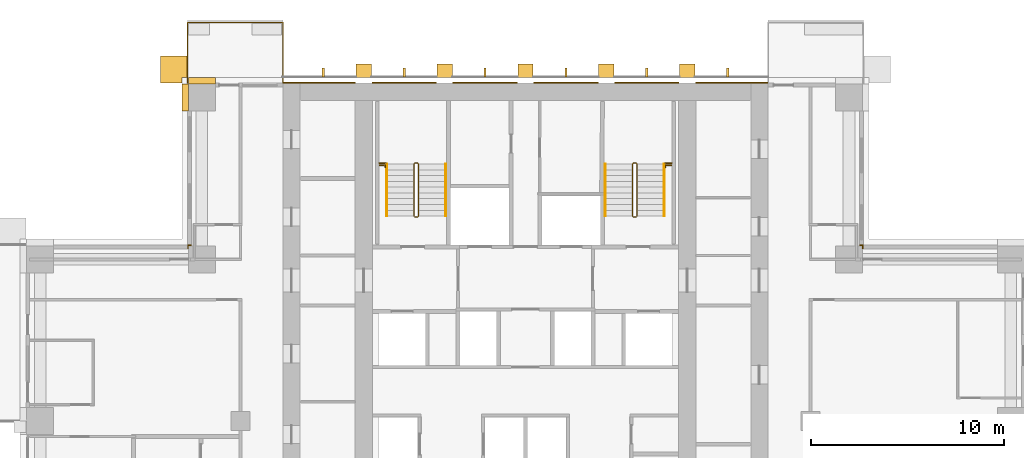
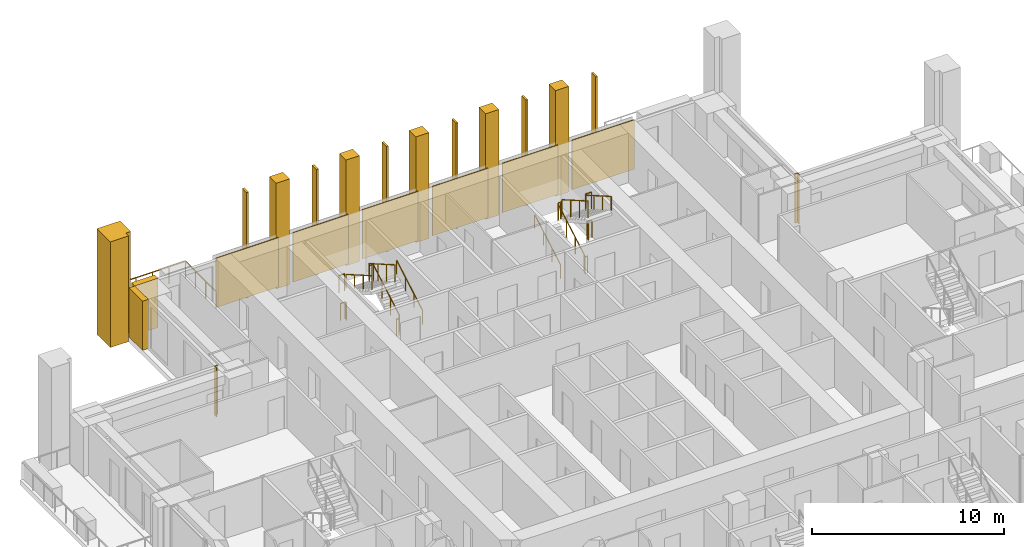
# One storey, part 16 of 17: 22 coverings, 11 railings.
"""IFC4 building model written with IfcOpenShell, lengths in metres."""

from ifc_helpers import new_model, si_unit, direction, frame, origin, origin_2d, place, context, subcontext, project, spatial, polyline, rectangle, outline, extrude, material, layer, layer_set, type_object, element, save


model = new_model("IFC4")

# Units and contexts
model_context = context("Model", 3, precision=1e-05, world=origin(), true_north=direction((0.0, 1.0)))
body_context = subcontext(model_context, "Body", "Model", "MODEL_VIEW")
ifc_project = project(units=[si_unit("LENGTHUNIT", "METRE"), si_unit("AREAUNIT", "SQUARE_METRE"), si_unit("VOLUMEUNIT", "CUBIC_METRE"), si_unit("PLANEANGLEUNIT", "RADIAN"), si_unit("MASSUNIT", "GRAM", prefix="KILO")], contexts=[model_context])

# Site, building, storey
site_placement = place(None, origin())
site = spatial("IfcSite", under=ifc_project, at=site_placement, CompositionType="ELEMENT")
building_placement = place(site_placement, origin())
building = spatial("IfcBuilding", under=site, at=building_placement, Name="Vermilion Ogive Tower", CompositionType="ELEMENT")
storey_placement = place(building_placement, frame((0.0, 0.0, 69.0)))
storey = spatial("IfcBuildingStorey", under=building, at=storey_placement, Name="L16", CompositionType="ELEMENT", Elevation=69.0)

# Railing
ifc_material_1 = material(Name="Stainless steel and glass", Category="steel")
railing_type_1 = type_object("IfcRailingType", Name="Balcony guard", PredefinedType="GUARDRAIL", material=ifc_material_1)
railing_1_placement = place(storey_placement, frame((-12.60009765625, 21.75, -0.0400390625)))
element("IfcRailing", 1, at=railing_1_placement, inside=storey, type_object=railing_type_1, Name="Guard N201", PredefinedType="GUARDRAIL", context=body_context, shape_type="SweptSolid", body=[
    extrude(rectangle(XDim=0.048095703125, YDim=0.048095703125, at=origin_2d()), frame((0.0, 0.0, 1.076171875), z_axis=(0.0, 1.0, 0.0), x_axis=(-1.0, 0.0, 0.0)), (0.0, 0.0, 1.0), 3.159912109375),
    extrude(rectangle(XDim=0.048095703125, YDim=0.048095703125, at=origin_2d()), frame((0.0, 3.159912109375, 1.076171875), z_axis=(-1.0, 0.0, 0.0), x_axis=(0.0, -1.0, 0.0)), (0.0, 0.0, 1.0), 4.949951171875),
    extrude(rectangle(XDim=0.048095703125, YDim=0.048095703125, at=origin_2d()), frame((-4.949951171875, 3.159912109375, 1.076171875), z_axis=(0.0, -1.0, 0.0), x_axis=(1.0, 0.0, 0.0)), (0.0, 0.0, 1.0), 3.159912109375),
    extrude(rectangle(XDim=0.0419921875, YDim=0.0419921875, at=origin_2d()), origin(), (0.0, 0.0, 1.0), 1.052001953125),
    extrude(rectangle(XDim=0.0419921875, YDim=0.0419921875, at=origin_2d()), frame((0.0, 1.05322265625, 0.0)), (0.0, 0.0, 1.0), 1.052001953125),
    extrude(rectangle(XDim=0.0419921875, YDim=0.0419921875, at=origin_2d()), frame((0.0, 2.106689453125, 0.0)), (0.0, 0.0, 1.0), 1.052001953125),
    extrude(rectangle(XDim=0.0419921875, YDim=0.0419921875, at=origin_2d()), frame((0.0, 3.159912109375, 0.0)), (0.0, 0.0, 1.0), 1.052001953125),
    extrude(rectangle(XDim=0.0419921875, YDim=0.0419921875, at=origin_2d()), frame((-0.989990234375, 3.159912109375, 0.0)), (0.0, 0.0, 1.0), 1.052001953125),
    extrude(rectangle(XDim=0.0419921875, YDim=0.0419921875, at=origin_2d()), frame((-1.97998046875, 3.159912109375, 0.0)), (0.0, 0.0, 1.0), 1.052001953125),
    extrude(rectangle(XDim=0.0419921875, YDim=0.0419921875, at=origin_2d()), frame((-2.969970703125, 3.159912109375, 0.0)), (0.0, 0.0, 1.0), 1.052001953125),
    extrude(rectangle(XDim=0.0419921875, YDim=0.0419921875, at=origin_2d()), frame((-3.9599609375, 3.159912109375, 0.0)), (0.0, 0.0, 1.0), 1.052001953125),
    extrude(rectangle(XDim=0.0419921875, YDim=0.0419921875, at=origin_2d()), frame((-4.949951171875, 3.159912109375, 0.0)), (0.0, 0.0, 1.0), 1.052001953125),
    extrude(rectangle(XDim=0.0419921875, YDim=0.0419921875, at=origin_2d()), frame((-4.949951171875, 2.106689453125, 0.0)), (0.0, 0.0, 1.0), 1.052001953125),
    extrude(rectangle(XDim=0.0419921875, YDim=0.0419921875, at=origin_2d()), frame((-4.949951171875, 1.05322265625, 0.0)), (0.0, 0.0, 1.0), 1.052001953125),
    extrude(rectangle(XDim=0.0419921875, YDim=0.0419921875, at=origin_2d()), frame((-4.949951171875, 0.0, 0.0)), (0.0, 0.0, 1.0), 1.052001953125),
])

# Coverings
ifc_material_2 = material(Name="Glazed ceramic screen")
ifc_layer = layer(ifc_material_2, 0.14990234375)
ifc_layer_set = layer_set([ifc_layer], Name="Ceramic solar screen fin")
covering_type_1 = type_object("IfcCoveringType", Name="Ceramic solar screen fin", PredefinedType="CLADDING", material=ifc_layer_set)
covering_1_placement = place(storey_placement, frame((0.0, 0.0, -0.320068359375)))
element("IfcCovering", 2, at=covering_1_placement, inside=storey, type_object=covering_type_1, Name="Solar screen blade N1", PredefinedType="CLADDING", context=body_context, shape_type="SweptSolid", body=[
    extrude(outline(polyline([(-10.56005859375, 22.08203125), (-10.43994140625, 22.08203125), (-10.43994140625, 22.531982421875), (-10.56005859375, 22.531982421875), (-10.56005859375, 22.08203125)])), origin(), (0.0, 0.0, 1.0), 6.719970703125),
])
covering_2_placement = place(storey_placement, frame((0.0, 0.0, -0.320068359375)))
element("IfcCovering", 3, at=covering_2_placement, inside=storey, type_object=covering_type_1, Name="Solar screen blade N2", PredefinedType="CLADDING", context=body_context, shape_type="SweptSolid", body=[
    extrude(outline(polyline([(-6.360107421875, 22.08203125), (-6.239990234375, 22.08203125), (-6.239990234375, 22.531982421875), (-6.360107421875, 22.531982421875), (-6.360107421875, 22.08203125)])), origin(), (0.0, 0.0, 1.0), 6.719970703125),
])
covering_3_placement = place(storey_placement, frame((0.0, 0.0, -0.320068359375)))
element("IfcCovering", 4, at=covering_3_placement, inside=storey, type_object=covering_type_1, Name="Solar screen blade N3", PredefinedType="CLADDING", context=body_context, shape_type="SweptSolid", body=[
    extrude(outline(polyline([(-2.159912109375, 22.08203125), (-2.0400390625, 22.08203125), (-2.0400390625, 22.531982421875), (-2.159912109375, 22.531982421875), (-2.159912109375, 22.08203125)])), origin(), (0.0, 0.0, 1.0), 6.719970703125),
])
covering_4_placement = place(storey_placement, frame((0.0, 0.0, -0.320068359375)))
element("IfcCovering", 5, at=covering_4_placement, inside=storey, type_object=covering_type_1, Name="Solar screen blade N4", PredefinedType="CLADDING", context=body_context, shape_type="SweptSolid", body=[
    extrude(outline(polyline([(2.0400390625, 22.08203125), (2.159912109375, 22.08203125), (2.159912109375, 22.531982421875), (2.0400390625, 22.531982421875), (2.0400390625, 22.08203125)])), origin(), (0.0, 0.0, 1.0), 6.719970703125),
])
covering_5_placement = place(storey_placement, frame((0.0, 0.0, -0.320068359375)))
element("IfcCovering", 6, at=covering_5_placement, inside=storey, type_object=covering_type_1, Name="Solar screen blade N5", PredefinedType="CLADDING", context=body_context, shape_type="SweptSolid", body=[
    extrude(outline(polyline([(6.239990234375, 22.08203125), (6.360107421875, 22.08203125), (6.360107421875, 22.531982421875), (6.239990234375, 22.531982421875), (6.239990234375, 22.08203125)])), origin(), (0.0, 0.0, 1.0), 6.719970703125),
])
covering_6_placement = place(storey_placement, frame((0.0, 0.0, -0.320068359375)))
element("IfcCovering", 7, at=covering_6_placement, inside=storey, type_object=covering_type_1, Name="Solar screen blade N6", PredefinedType="CLADDING", context=body_context, shape_type="SweptSolid", body=[
    extrude(outline(polyline([(10.43994140625, 22.08203125), (10.56005859375, 22.08203125), (10.56005859375, 22.531982421875), (10.43994140625, 22.531982421875), (10.43994140625, 22.08203125)])), origin(), (0.0, 0.0, 1.0), 6.719970703125),
])

# Railings
ifc_material_3 = material(Name="Steel S355 painted", Category="steel")
railing_type_2 = type_object("IfcRailingType", Name="Stair guard 1100", PredefinedType="GUARDRAIL", material=ifc_material_3)
railing_2_placement = place(storey_placement, frame((-5.75, 14.800048828125, 0.0)))
element("IfcRailing", 8, at=railing_2_placement, inside=storey, type_object=railing_type_2, Name="L16 ST1 stair guard 4", PredefinedType="GUARDRAIL", context=body_context, shape_type="SweptSolid", body=[
    extrude(rectangle(XDim=0.048095703125, YDim=0.048095703125, at=origin_2d()), frame((0.0, 0.0, 1.076171875), z_axis=(1.0, 0.0, 0.0), x_axis=(0.0, 1.0, 0.0)), (0.0, 0.0, 1.0), 0.14990234375),
    extrude(rectangle(XDim=0.048095703125, YDim=0.048095703125, at=origin_2d()), frame((0.14990234375, 0.0, 1.076171875), z_axis=(0.268277960024, 0.268277960024, 0.925231793839), x_axis=(-0.707106781187, 0.707106781187, 0.0)), (0.0, 0.0, 1.0), 0.1865234375),
    extrude(rectangle(XDim=0.048095703125, YDim=0.048095703125, at=origin_2d()), frame((0.199951171875, 0.050048828125, 1.24853515625), z_axis=(0.0, 0.866903762492, 0.498475542607), x_axis=(-1.0, 0.0, 0.0)), (0.0, 0.0, 1.0), 3.114501953125),
    extrude(rectangle(XDim=0.048095703125, YDim=0.048095703125, at=origin_2d()), frame((0.199951171875, 2.75, 2.80126953125), z_axis=(-0.707106781187, 0.707106781187, 0.0), x_axis=(-0.707106781187, -0.707106781187, 0.0)), (0.0, 0.0, 1.0), 0.07080078125),
    extrude(rectangle(XDim=0.048095703125, YDim=0.048095703125, at=origin_2d()), frame((0.14990234375, 2.800048828125, 2.80126953125), z_axis=(-1.0, 0.0, 0.0), x_axis=(0.0, -1.0, 0.0)), (0.0, 0.0, 1.0), 0.14990234375),
    extrude(rectangle(XDim=0.048095703125, YDim=0.048095703125, at=origin_2d()), frame((0.0, 2.800048828125, 2.80126953125), z_axis=(-0.268603158521, -0.268603158521, 0.925043072762), x_axis=(0.707106781187, -0.707106781187, 0.0)), (0.0, 0.0, 1.0), 0.186279296875),
    extrude(rectangle(XDim=0.048095703125, YDim=0.048095703125, at=origin_2d()), frame((-0.050048828125, 2.75, 2.9736328125), z_axis=(0.0, -0.866903762492, 0.498475542607), x_axis=(1.0, 0.0, 0.0)), (0.0, 0.0, 1.0), 3.114501953125),
    extrude(rectangle(XDim=0.0419921875, YDim=0.0419921875, at=origin_2d()), origin(), (0.0, 0.0, 1.0), 1.052001953125),
    extrude(rectangle(XDim=0.0419921875, YDim=0.0419921875, at=origin_2d()), frame((0.14990234375, 0.0, 0.0)), (0.0, 0.0, 1.0), 1.052001953125),
    extrude(rectangle(XDim=0.0419921875, YDim=0.0419921875, at=origin_2d()), frame((0.199951171875, 0.050048828125, 0.172607421875)), (0.0, 0.0, 1.0), 1.052001953125),
    extrude(rectangle(XDim=0.0419921875, YDim=0.0419921875, at=origin_2d()), frame((0.199951171875, 0.949951171875, 0.690185546875)), (0.0, 0.0, 1.0), 1.052001953125),
    extrude(rectangle(XDim=0.0419921875, YDim=0.0419921875, at=origin_2d()), frame((0.199951171875, 1.85009765625, 1.20751953125)), (0.0, 0.0, 1.0), 1.052001953125),
    extrude(rectangle(XDim=0.0419921875, YDim=0.0419921875, at=origin_2d()), frame((0.199951171875, 2.75, 1.72509765625)), (0.0, 0.0, 1.0), 1.052001953125),
    extrude(rectangle(XDim=0.0419921875, YDim=0.0419921875, at=origin_2d()), frame((0.14990234375, 2.800048828125, 1.72509765625)), (0.0, 0.0, 1.0), 1.052001953125),
    extrude(rectangle(XDim=0.0419921875, YDim=0.0419921875, at=origin_2d()), frame((0.0, 2.800048828125, 1.72509765625)), (0.0, 0.0, 1.0), 1.052001953125),
    extrude(rectangle(XDim=0.0419921875, YDim=0.0419921875, at=origin_2d()), frame((-0.050048828125, 2.75, 1.8974609375)), (0.0, 0.0, 1.0), 1.052001953125),
    extrude(rectangle(XDim=0.0419921875, YDim=0.0419921875, at=origin_2d()), frame((-0.050048828125, 1.85009765625, 2.4150390625)), (0.0, 0.0, 1.0), 1.052001953125),
    extrude(rectangle(XDim=0.0419921875, YDim=0.0419921875, at=origin_2d()), frame((-0.050048828125, 0.949951171875, 2.932373046875)), (0.0, 0.0, 1.0), 1.052001953125),
    extrude(rectangle(XDim=0.0419921875, YDim=0.0419921875, at=origin_2d()), frame((-0.050048828125, 0.050048828125, 3.449951171875)), (0.0, 0.0, 1.0), 1.052001953125),
])
railing_3_placement = place(storey_placement, frame((5.75, 14.800048828125, 0.0)))
element("IfcRailing", 9, at=railing_3_placement, inside=storey, type_object=railing_type_2, Name="L16 ST2 stair guard 4", PredefinedType="GUARDRAIL", context=body_context, shape_type="SweptSolid", body=[
    extrude(rectangle(XDim=0.048095703125, YDim=0.048095703125, at=origin_2d()), frame((0.0, 0.0, 1.076171875), z_axis=(-1.0, 0.0, 0.0), x_axis=(0.0, -1.0, 0.0)), (0.0, 0.0, 1.0), 0.14990234375),
    extrude(rectangle(XDim=0.048095703125, YDim=0.048095703125, at=origin_2d()), frame((-0.14990234375, 0.0, 1.076171875), z_axis=(-0.268277960024, 0.268277960024, 0.925231793839), x_axis=(-0.707106781187, -0.707106781187, 0.0)), (0.0, 0.0, 1.0), 0.1865234375),
    extrude(rectangle(XDim=0.048095703125, YDim=0.048095703125, at=origin_2d()), frame((-0.199951171875, 0.050048828125, 1.24853515625), z_axis=(0.0, 0.866903762492, 0.498475542607), x_axis=(-1.0, 0.0, 0.0)), (0.0, 0.0, 1.0), 3.114501953125),
    extrude(rectangle(XDim=0.048095703125, YDim=0.048095703125, at=origin_2d()), frame((-0.199951171875, 2.75, 2.80126953125), z_axis=(0.707106781187, 0.707106781187, 0.0), x_axis=(-0.707106781187, 0.707106781187, 0.0)), (0.0, 0.0, 1.0), 0.07080078125),
    extrude(rectangle(XDim=0.048095703125, YDim=0.048095703125, at=origin_2d()), frame((-0.14990234375, 2.800048828125, 2.80126953125), z_axis=(1.0, 0.0, 0.0), x_axis=(0.0, 1.0, 0.0)), (0.0, 0.0, 1.0), 0.14990234375),
    extrude(rectangle(XDim=0.048095703125, YDim=0.048095703125, at=origin_2d()), frame((0.0, 2.800048828125, 2.80126953125), z_axis=(0.268603158521, -0.268603158521, 0.925043072762), x_axis=(0.707106781187, 0.707106781187, 0.0)), (0.0, 0.0, 1.0), 0.186279296875),
    extrude(rectangle(XDim=0.048095703125, YDim=0.048095703125, at=origin_2d()), frame((0.050048828125, 2.75, 2.9736328125), z_axis=(0.0, -0.866903762492, 0.498475542607), x_axis=(1.0, 0.0, 0.0)), (0.0, 0.0, 1.0), 3.114501953125),
    extrude(rectangle(XDim=0.0419921875, YDim=0.0419921875, at=origin_2d()), origin(), (0.0, 0.0, 1.0), 1.052001953125),
    extrude(rectangle(XDim=0.0419921875, YDim=0.0419921875, at=origin_2d()), frame((-0.14990234375, 0.0, 0.0)), (0.0, 0.0, 1.0), 1.052001953125),
    extrude(rectangle(XDim=0.0419921875, YDim=0.0419921875, at=origin_2d()), frame((-0.199951171875, 0.050048828125, 0.172607421875)), (0.0, 0.0, 1.0), 1.052001953125),
    extrude(rectangle(XDim=0.0419921875, YDim=0.0419921875, at=origin_2d()), frame((-0.199951171875, 0.949951171875, 0.690185546875)), (0.0, 0.0, 1.0), 1.052001953125),
    extrude(rectangle(XDim=0.0419921875, YDim=0.0419921875, at=origin_2d()), frame((-0.199951171875, 1.85009765625, 1.20751953125)), (0.0, 0.0, 1.0), 1.052001953125),
    extrude(rectangle(XDim=0.0419921875, YDim=0.0419921875, at=origin_2d()), frame((-0.199951171875, 2.75, 1.72509765625)), (0.0, 0.0, 1.0), 1.052001953125),
    extrude(rectangle(XDim=0.0419921875, YDim=0.0419921875, at=origin_2d()), frame((-0.14990234375, 2.800048828125, 1.72509765625)), (0.0, 0.0, 1.0), 1.052001953125),
    extrude(rectangle(XDim=0.0419921875, YDim=0.0419921875, at=origin_2d()), frame((0.0, 2.800048828125, 1.72509765625)), (0.0, 0.0, 1.0), 1.052001953125),
    extrude(rectangle(XDim=0.0419921875, YDim=0.0419921875, at=origin_2d()), frame((0.050048828125, 2.75, 1.8974609375)), (0.0, 0.0, 1.0), 1.052001953125),
    extrude(rectangle(XDim=0.0419921875, YDim=0.0419921875, at=origin_2d()), frame((0.050048828125, 1.85009765625, 2.4150390625)), (0.0, 0.0, 1.0), 1.052001953125),
    extrude(rectangle(XDim=0.0419921875, YDim=0.0419921875, at=origin_2d()), frame((0.050048828125, 0.949951171875, 2.932373046875)), (0.0, 0.0, 1.0), 1.052001953125),
    extrude(rectangle(XDim=0.0419921875, YDim=0.0419921875, at=origin_2d()), frame((0.050048828125, 0.050048828125, 3.449951171875)), (0.0, 0.0, 1.0), 1.052001953125),
])
for number, where, name in (
    (10, (-7.60009765625, 17.60009765625, 1.72509765625), "L16 landing guard"),
    (11, (7.25, 17.60009765625, 1.72509765625), "L16 landing guard"),
):
    element("IfcRailing", number, at=place(storey_placement, frame(where)), inside=storey, type_object=railing_type_2, Name=name, PredefinedType="GUARDRAIL", context=body_context, shape_type="SweptSolid", body=[
        extrude(rectangle(XDim=0.048095703125, YDim=0.048095703125, at=origin_2d()), frame((0.0, 0.0, 1.076171875), z_axis=(1.0, 0.0, 0.0), x_axis=(0.0, 1.0, 0.0)), (0.0, 0.0, 1.0), 0.35009765625),
        extrude(rectangle(XDim=0.0419921875, YDim=0.0419921875, at=origin_2d()), origin(), (0.0, 0.0, 1.0), 1.052001953125),
        extrude(rectangle(XDim=0.0419921875, YDim=0.0419921875, at=origin_2d()), frame((0.35009765625, 0.0, 0.0)), (0.0, 0.0, 1.0), 1.052001953125),
    ])
railing_4_placement = place(storey_placement, frame((-7.56298828125, 17.49462890625, 0.0)))
element("IfcRailing", 12, at=railing_4_placement, inside=storey, type_object=railing_type_2, Name="L16 stair opening guard", PredefinedType="GUARDRAIL", context=body_context, shape_type="SweptSolid", body=[
    extrude(rectangle(XDim=0.048095703125, YDim=0.048095703125, at=origin_2d()), frame((0.0, 0.0, 1.076171875), z_axis=(1.0, 0.0, 0.0), x_axis=(0.0, 1.0, 0.0)), (0.0, 0.0, 1.0), 0.2900390625),
    extrude(rectangle(XDim=0.048095703125, YDim=0.048095703125, at=origin_2d()), frame((0.2900390625, 0.0, 1.076171875), z_axis=(0.0, -1.0, 0.0), x_axis=(1.0, 0.0, 0.0)), (0.0, 0.0, 1.0), 0.1201171875),
    extrude(rectangle(XDim=0.0419921875, YDim=0.0419921875, at=origin_2d()), origin(), (0.0, 0.0, 1.0), 1.052001953125),
    extrude(rectangle(XDim=0.0419921875, YDim=0.0419921875, at=origin_2d()), frame((0.2900390625, 0.0, 0.0)), (0.0, 0.0, 1.0), 1.052001953125),
    extrude(rectangle(XDim=0.0419921875, YDim=0.0419921875, at=origin_2d()), frame((0.2900390625, -0.1201171875, 0.0)), (0.0, 0.0, 1.0), 1.052001953125),
])
railing_5_placement = place(storey_placement, frame((7.27294921875, 17.37451171875, 0.0)))
element("IfcRailing", 13, at=railing_5_placement, inside=storey, type_object=railing_type_2, Name="L16 stair opening guard", PredefinedType="GUARDRAIL", context=body_context, shape_type="SweptSolid", body=[
    extrude(rectangle(XDim=0.048095703125, YDim=0.048095703125, at=origin_2d()), frame((0.0, 0.0, 1.076171875), z_axis=(0.0, 1.0, 0.0), x_axis=(-1.0, 0.0, 0.0)), (0.0, 0.0, 1.0), 0.1201171875),
    extrude(rectangle(XDim=0.048095703125, YDim=0.048095703125, at=origin_2d()), frame((0.0, 0.1201171875, 1.076171875), z_axis=(1.0, 0.0, 0.0), x_axis=(0.0, 1.0, 0.0)), (0.0, 0.0, 1.0), 0.2900390625),
    extrude(rectangle(XDim=0.0419921875, YDim=0.0419921875, at=origin_2d()), origin(), (0.0, 0.0, 1.0), 1.052001953125),
    extrude(rectangle(XDim=0.0419921875, YDim=0.0419921875, at=origin_2d()), frame((0.0, 0.1201171875, 0.0)), (0.0, 0.0, 1.0), 1.052001953125),
    extrude(rectangle(XDim=0.0419921875, YDim=0.0419921875, at=origin_2d()), frame((0.2900390625, 0.1201171875, 0.0)), (0.0, 0.0, 1.0), 1.052001953125),
])
ifc_material_4 = material(Name="Stainless steel", Category="steel")
railing_type_3 = type_object("IfcRailingType", Name="Stair handrail 900", PredefinedType="HANDRAIL", material=ifc_material_4)
railing_6_placement = place(storey_placement, frame((-4.14990234375, 14.85009765625, 0.172607421875)))
element("IfcRailing", 14, at=railing_6_placement, inside=storey, type_object=railing_type_3, Name="L16 ST1 stair handrail 1", PredefinedType="HANDRAIL", context=body_context, shape_type="SweptSolid", body=[
    extrude(rectangle(XDim=0.048095703125, YDim=0.048095703125, at=origin_2d()), frame((0.0, 0.0, 0.8759765625), z_axis=(0.0, 0.866903762492, 0.498475542607), x_axis=(-1.0, 0.0, 0.0)), (0.0, 0.0, 1.0), 3.114501953125),
    extrude(rectangle(XDim=0.0419921875, YDim=0.0419921875, at=origin_2d()), origin(), (0.0, 0.0, 1.0), 0.851806640625),
    extrude(rectangle(XDim=0.0419921875, YDim=0.0419921875, at=origin_2d()), frame((0.0, 0.89990234375, 0.517578125)), (0.0, 0.0, 1.0), 0.851806640625),
    extrude(rectangle(XDim=0.0419921875, YDim=0.0419921875, at=origin_2d()), frame((0.0, 1.800048828125, 1.034912109375)), (0.0, 0.0, 1.0), 0.851806640625),
    extrude(rectangle(XDim=0.0419921875, YDim=0.0419921875, at=origin_2d()), frame((0.0, 2.699951171875, 1.552490234375)), (0.0, 0.0, 1.0), 0.851806640625),
])
railing_7_placement = place(storey_placement, frame((-7.199951171875, 17.550048828125, 1.8974609375)))
element("IfcRailing", 15, at=railing_7_placement, inside=storey, type_object=railing_type_3, Name="L16 ST1 stair handrail 2", PredefinedType="HANDRAIL", context=body_context, shape_type="SweptSolid", body=[
    extrude(rectangle(XDim=0.048095703125, YDim=0.048095703125, at=origin_2d()), frame((0.0, 0.0, 0.8759765625), z_axis=(0.0, -0.866903762492, 0.498475542607), x_axis=(1.0, 0.0, 0.0)), (0.0, 0.0, 1.0), 3.114501953125),
    extrude(rectangle(XDim=0.0419921875, YDim=0.0419921875, at=origin_2d()), origin(), (0.0, 0.0, 1.0), 0.851806640625),
    extrude(rectangle(XDim=0.0419921875, YDim=0.0419921875, at=origin_2d()), frame((0.0, -0.89990234375, 0.517578125)), (0.0, 0.0, 1.0), 0.851806640625),
    extrude(rectangle(XDim=0.0419921875, YDim=0.0419921875, at=origin_2d()), frame((0.0, -1.800048828125, 1.034912109375)), (0.0, 0.0, 1.0), 0.851806640625),
    extrude(rectangle(XDim=0.0419921875, YDim=0.0419921875, at=origin_2d()), frame((0.0, -2.699951171875, 1.552490234375)), (0.0, 0.0, 1.0), 0.851806640625),
])
railing_8_placement = place(storey_placement, frame((4.14990234375, 14.85009765625, 0.172607421875)))
element("IfcRailing", 16, at=railing_8_placement, inside=storey, type_object=railing_type_3, Name="L16 ST2 stair handrail 1", PredefinedType="HANDRAIL", context=body_context, shape_type="SweptSolid", body=[
    extrude(rectangle(XDim=0.048095703125, YDim=0.048095703125, at=origin_2d()), frame((0.0, 0.0, 0.8759765625), z_axis=(0.0, 0.866903762492, 0.498475542607), x_axis=(-1.0, 0.0, 0.0)), (0.0, 0.0, 1.0), 3.114501953125),
    extrude(rectangle(XDim=0.0419921875, YDim=0.0419921875, at=origin_2d()), origin(), (0.0, 0.0, 1.0), 0.851806640625),
    extrude(rectangle(XDim=0.0419921875, YDim=0.0419921875, at=origin_2d()), frame((0.0, 0.89990234375, 0.517578125)), (0.0, 0.0, 1.0), 0.851806640625),
    extrude(rectangle(XDim=0.0419921875, YDim=0.0419921875, at=origin_2d()), frame((0.0, 1.800048828125, 1.034912109375)), (0.0, 0.0, 1.0), 0.851806640625),
    extrude(rectangle(XDim=0.0419921875, YDim=0.0419921875, at=origin_2d()), frame((0.0, 2.699951171875, 1.552490234375)), (0.0, 0.0, 1.0), 0.851806640625),
])
railing_9_placement = place(storey_placement, frame((7.199951171875, 17.550048828125, 1.8974609375)))
element("IfcRailing", 17, at=railing_9_placement, inside=storey, type_object=railing_type_3, Name="L16 ST2 stair handrail 2", PredefinedType="HANDRAIL", context=body_context, shape_type="SweptSolid", body=[
    extrude(rectangle(XDim=0.048095703125, YDim=0.048095703125, at=origin_2d()), frame((0.0, 0.0, 0.8759765625), z_axis=(0.0, -0.866903762492, 0.498475542607), x_axis=(1.0, 0.0, 0.0)), (0.0, 0.0, 1.0), 3.114501953125),
    extrude(rectangle(XDim=0.0419921875, YDim=0.0419921875, at=origin_2d()), origin(), (0.0, 0.0, 1.0), 0.851806640625),
    extrude(rectangle(XDim=0.0419921875, YDim=0.0419921875, at=origin_2d()), frame((0.0, -0.89990234375, 0.517578125)), (0.0, 0.0, 1.0), 0.851806640625),
    extrude(rectangle(XDim=0.0419921875, YDim=0.0419921875, at=origin_2d()), frame((0.0, -1.800048828125, 1.034912109375)), (0.0, 0.0, 1.0), 0.851806640625),
    extrude(rectangle(XDim=0.0419921875, YDim=0.0419921875, at=origin_2d()), frame((0.0, -2.699951171875, 1.552490234375)), (0.0, 0.0, 1.0), 0.851806640625),
])

# Coverings
ifc_material_5 = material(Name="Stone cladding", Category="masonry")
covering_type_2 = type_object("IfcCoveringType", Name="Stone buttress pier", PredefinedType="CLADDING", material=ifc_material_5)
covering_7_placement = place(storey_placement, frame((0.0, 0.0, -0.320068359375)))
element("IfcCovering", 18, at=covering_7_placement, inside=storey, type_object=covering_type_2, Name="Stone buttress pier N1", PredefinedType="CLADDING", context=body_context, shape_type="SweptSolid", body=[
    extrude(outline(polyline([(-8.0, 22.75), (-8.0, 22.050048828125), (-8.800048828125, 22.050048828125), (-8.800048828125, 22.75), (-8.0, 22.75)])), origin(), (0.0, 0.0, 1.0), 6.719970703125),
])
covering_8_placement = place(storey_placement, frame((0.0, 0.0, -0.320068359375)))
element("IfcCovering", 19, at=covering_8_placement, inside=storey, type_object=covering_type_2, Name="Stone buttress pier N2", PredefinedType="CLADDING", context=body_context, shape_type="SweptSolid", body=[
    extrude(outline(polyline([(-3.800048828125, 22.75), (-3.800048828125, 22.050048828125), (-4.60009765625, 22.050048828125), (-4.60009765625, 22.75), (-3.800048828125, 22.75)])), origin(), (0.0, 0.0, 1.0), 6.719970703125),
])
covering_9_placement = place(storey_placement, frame((0.0, 0.0, -0.320068359375)))
element("IfcCovering", 20, at=covering_9_placement, inside=storey, type_object=covering_type_2, Name="Stone buttress pier N3", PredefinedType="CLADDING", context=body_context, shape_type="SweptSolid", body=[
    extrude(outline(polyline([(0.39990234375, 22.75), (0.39990234375, 22.050048828125), (-0.39990234375, 22.050048828125), (-0.39990234375, 22.75), (0.39990234375, 22.75)])), origin(), (0.0, 0.0, 1.0), 6.719970703125),
])
covering_10_placement = place(storey_placement, frame((0.0, 0.0, -0.320068359375)))
element("IfcCovering", 21, at=covering_10_placement, inside=storey, type_object=covering_type_2, Name="Stone buttress pier N4", PredefinedType="CLADDING", context=body_context, shape_type="SweptSolid", body=[
    extrude(outline(polyline([(4.60009765625, 22.75), (4.60009765625, 22.050048828125), (3.800048828125, 22.050048828125), (3.800048828125, 22.75), (4.60009765625, 22.75)])), origin(), (0.0, 0.0, 1.0), 6.719970703125),
])
covering_11_placement = place(storey_placement, frame((0.0, 0.0, -0.320068359375)))
element("IfcCovering", 22, at=covering_11_placement, inside=storey, type_object=covering_type_2, Name="Stone buttress pier N5", PredefinedType="CLADDING", context=body_context, shape_type="SweptSolid", body=[
    extrude(outline(polyline([(8.800048828125, 22.75), (8.800048828125, 22.050048828125), (8.0, 22.050048828125), (8.0, 22.75), (8.800048828125, 22.75)])), origin(), (0.0, 0.0, 1.0), 6.719970703125),
])
ifc_material_6 = material(Name="Stone cladding", Category="masonry")
covering_type_3 = type_object("IfcCoveringType", Name="Stone cladding panel", PredefinedType="CLADDING", material=ifc_material_6)
covering_12_placement = place(storey_placement, origin())
element("IfcCovering", 23, at=covering_12_placement, inside=storey, type_object=covering_type_3, Name="Stone cladding panel N1", PredefinedType="CLADDING", context=body_context, shape_type="SweptSolid", body=[
    extrude(outline(polyline([(-12.590087890625, 21.75), (-8.830078125, 21.75), (-8.830078125, 21.81005859375), (-12.590087890625, 21.81005859375), (-12.590087890625, 21.75)])), origin(), (0.0, 0.0, 1.0), 3.1298828125),
])
covering_13_placement = place(storey_placement, origin())
element("IfcCovering", 24, at=covering_13_placement, inside=storey, type_object=covering_type_3, Name="Stone cladding panel N2", PredefinedType="CLADDING", context=body_context, shape_type="SweptSolid", body=[
    extrude(outline(polyline([(-7.969970703125, 21.75), (-4.6298828125, 21.75), (-4.6298828125, 21.81005859375), (-7.969970703125, 21.81005859375), (-7.969970703125, 21.75)])), origin(), (0.0, 0.0, 1.0), 3.1298828125),
])
covering_14_placement = place(storey_placement, origin())
element("IfcCovering", 25, at=covering_14_placement, inside=storey, type_object=covering_type_3, Name="Stone cladding panel N3", PredefinedType="CLADDING", context=body_context, shape_type="SweptSolid", body=[
    extrude(outline(polyline([(-3.77001953125, 21.75), (-0.429931640625, 21.75), (-0.429931640625, 21.81005859375), (-3.77001953125, 21.81005859375), (-3.77001953125, 21.75)])), origin(), (0.0, 0.0, 1.0), 3.1298828125),
])
covering_15_placement = place(storey_placement, origin())
element("IfcCovering", 26, at=covering_15_placement, inside=storey, type_object=covering_type_3, Name="Stone cladding panel N4", PredefinedType="CLADDING", context=body_context, shape_type="SweptSolid", body=[
    extrude(outline(polyline([(0.429931640625, 21.75), (3.77001953125, 21.75), (3.77001953125, 21.81005859375), (0.429931640625, 21.81005859375), (0.429931640625, 21.75)])), origin(), (0.0, 0.0, 1.0), 3.1298828125),
])
covering_16_placement = place(storey_placement, origin())
element("IfcCovering", 27, at=covering_16_placement, inside=storey, type_object=covering_type_3, Name="Stone cladding panel N5", PredefinedType="CLADDING", context=body_context, shape_type="SweptSolid", body=[
    extrude(outline(polyline([(4.6298828125, 21.75), (7.969970703125, 21.75), (7.969970703125, 21.81005859375), (4.6298828125, 21.81005859375), (4.6298828125, 21.75)])), origin(), (0.0, 0.0, 1.0), 3.1298828125),
])
covering_17_placement = place(storey_placement, origin())
element("IfcCovering", 28, at=covering_17_placement, inside=storey, type_object=covering_type_3, Name="Stone cladding panel N6", PredefinedType="CLADDING", context=body_context, shape_type="SweptSolid", body=[
    extrude(outline(polyline([(8.830078125, 21.75), (12.590087890625, 21.75), (12.590087890625, 21.81005859375), (8.830078125, 21.81005859375), (8.830078125, 21.75)])), origin(), (0.0, 0.0, 1.0), 3.1298828125),
])
ifc_material_7 = material(Name="Stone cladding", Category="masonry")
covering_type_4 = type_object("IfcCoveringType", Name="Stone corner buttress", PredefinedType="CLADDING", material=ifc_material_7)
covering_18_placement = place(storey_placement, frame((0.0, 0.0, -0.320068359375)))
element("IfcCovering", 29, at=covering_18_placement, inside=storey, type_object=covering_type_4, Name="Stone corner buttress X51", PredefinedType="CLADDING", context=body_context, shape_type="SweptSolid", body=[
    extrude(outline(polyline([(-17.550048828125, 23.14990234375), (-17.550048828125, 22.050048828125), (-17.85009765625, 22.050048828125), (-17.85009765625, 21.75), (-18.949951171875, 21.75), (-18.949951171875, 23.14990234375), (-17.550048828125, 23.14990234375)])), origin(), (0.0, 0.0, 1.0), 6.719970703125),
])
ifc_material_8 = material(Name="Stone cladding", Category="masonry")
covering_type_5 = type_object("IfcCoveringType", Name="Stone pier", PredefinedType="CLADDING", material=ifc_material_8)
covering_19_placement = place(storey_placement, origin())
element("IfcCovering", 30, at=covering_19_placement, inside=storey, type_object=covering_type_5, Name="Stone corner pier X3E1", PredefinedType="CLADDING", context=body_context, shape_type="SweptSolid", body=[
    extrude(outline(polyline([(17.5, 13.14990234375), (17.5, 13.300048828125), (17.35009765625, 13.300048828125), (17.35009765625, 13.35009765625), (17.550048828125, 13.35009765625), (17.550048828125, 13.14990234375), (17.5, 13.14990234375)])), origin(), (0.0, 0.0, 1.0), 3.1298828125),
])
covering_20_placement = place(storey_placement, origin())
element("IfcCovering", 31, at=covering_20_placement, inside=storey, type_object=covering_type_5, Name="Stone corner pier X5E1", PredefinedType="CLADDING", context=body_context, shape_type="SweptSolid", body=[
    extrude(outline(polyline([(-17.35009765625, 13.300048828125), (-17.5, 13.300048828125), (-17.5, 13.14990234375), (-17.550048828125, 13.14990234375), (-17.550048828125, 13.35009765625), (-17.35009765625, 13.35009765625), (-17.35009765625, 13.300048828125)])), origin(), (0.0, 0.0, 1.0), 3.1298828125),
])
covering_21_placement = place(storey_placement, origin())
element("IfcCovering", 32, at=covering_21_placement, inside=storey, type_object=covering_type_5, Name="Stone pier P-0168+210N2", PredefinedType="CLADDING", context=body_context, shape_type="SweptSolid", body=[
    extrude(outline(polyline([(-17.5, 21.699951171875), (-17.5, 22.050048828125), (-16.10009765625, 22.050048828125), (-16.10009765625, 21.699951171875), (-17.5, 21.699951171875), (-17.5, 21.699951171875)])), origin(), (0.0, 0.0, 1.0), 3.1298828125),
])
covering_22_placement = place(storey_placement, origin())
element("IfcCovering", 33, at=covering_22_placement, inside=storey, type_object=covering_type_5, Name="Stone pier P-0168+210X5", PredefinedType="CLADDING", context=body_context, shape_type="SweptSolid", body=[
    extrude(outline(polyline([(-17.85009765625, 21.699951171875), (-17.5, 21.699951171875), (-17.5, 21.699951171875), (-17.5, 20.300048828125), (-17.85009765625, 20.300048828125), (-17.85009765625, 21.699951171875)])), origin(), (0.0, 0.0, 1.0), 3.1298828125),
])

save(model, "model.ifc")
